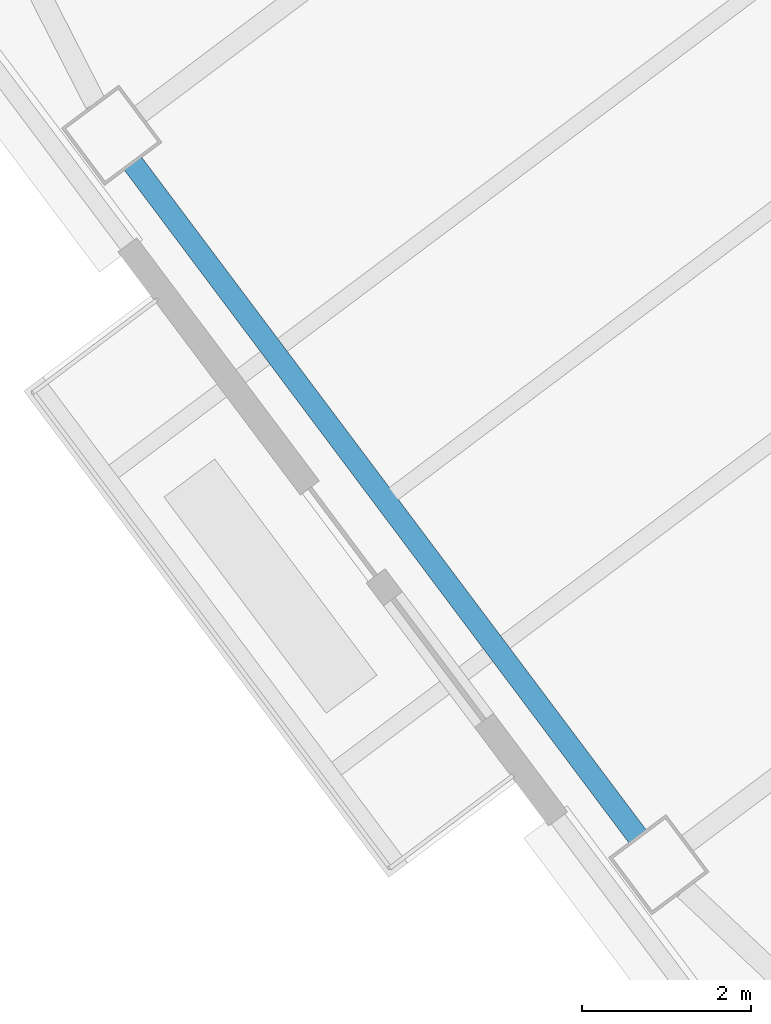
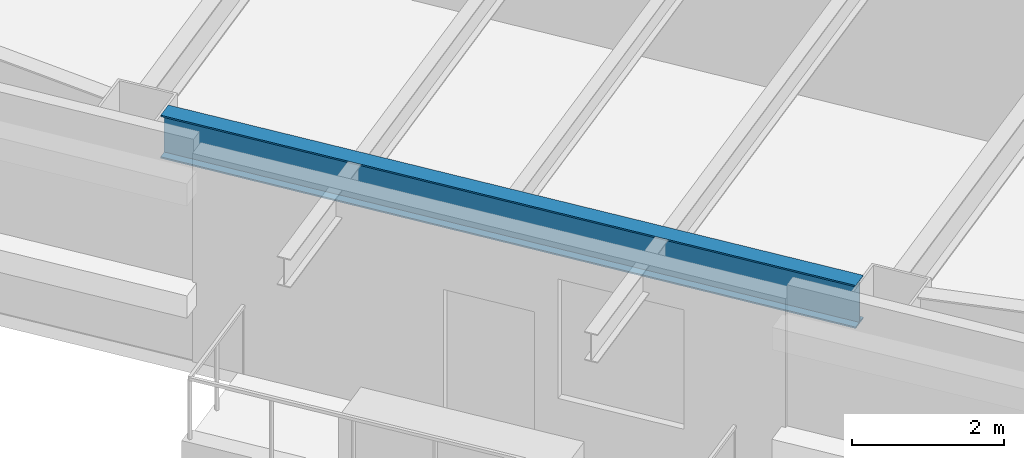
# One storey, part 16 of 44: 1 beam.
"""IFC4 building model written with IfcOpenShell, lengths in metres."""

from ifc_helpers import new_model, si_unit, direction, frame, origin, origin_2d, place, context, subcontext, project, spatial, i_section, extrude, material, material_profile, profile_set, type_object, element, save


model = new_model("IFC4")

# Units and contexts
model_context = context("Model", 3, precision=1e-05, world=origin(), true_north=direction((0.0, 1.0)))
body_context = subcontext(model_context, "Body", "Model", "MODEL_VIEW")
ifc_project = project(units=[si_unit("LENGTHUNIT", "METRE"), si_unit("AREAUNIT", "SQUARE_METRE"), si_unit("VOLUMEUNIT", "CUBIC_METRE"), si_unit("PLANEANGLEUNIT", "RADIAN"), si_unit("MASSUNIT", "GRAM", prefix="KILO")], contexts=[model_context])

# Site, building, storey
site_placement = place(None, origin())
site = spatial("IfcSite", under=ifc_project, at=site_placement, CompositionType="ELEMENT")
building_placement = place(site_placement, origin())
building = spatial("IfcBuilding", under=site, at=building_placement, Name="Tashvorn Skyway Center", CompositionType="ELEMENT")
storey_placement = place(building_placement, frame((0.0, 0.0, 84.949951171875)))
storey = spatial("IfcBuildingStorey", under=building, at=storey_placement, Name="L22", CompositionType="ELEMENT", Elevation=84.949951171875)

# Beam
ifc_material = material(Name="Steel ASTM A992 Grade 50", Category="steel")
ifc_material_profile = material_profile(ifc_material, i_section(OverallWidth=0.256103515625, OverallDepth=0.693115234375, WebThickness=0.014404296875, FlangeThickness=0.023681640625, at=origin_2d()), Name="W27X114")
ifc_profile_set = profile_set([ifc_material_profile], Name="Steel ASTM A992 Grade 50")
beam_type = type_object("IfcBeamType", Name="BM-SPANDREL-W27X114", PredefinedType="SPANDREL", material=ifc_profile_set)
beam_placement = place(storey_placement, frame((95.612060546875, 24.43408203125, 3.003662109375), z_axis=(0.599988234018, -0.800008824351, 0.0), x_axis=(0.800008824351, 0.599988234018, 0.0)))
element("IfcBeam", 1, at=beam_placement, inside=storey, type_object=beam_type, Name="Tower 2 L22 Spandrel Beam 11", PredefinedType="SPANDREL", context=body_context, shape_type="SweptSolid", body=[
    extrude(i_section(OverallWidth=0.256103515625, OverallDepth=0.693115234375, WebThickness=0.014404296875, FlangeThickness=0.023681640625, at=origin_2d()), origin(), (0.0, 0.0, 1.0), 9.9599609375),
])

save(model, "model.ifc")
